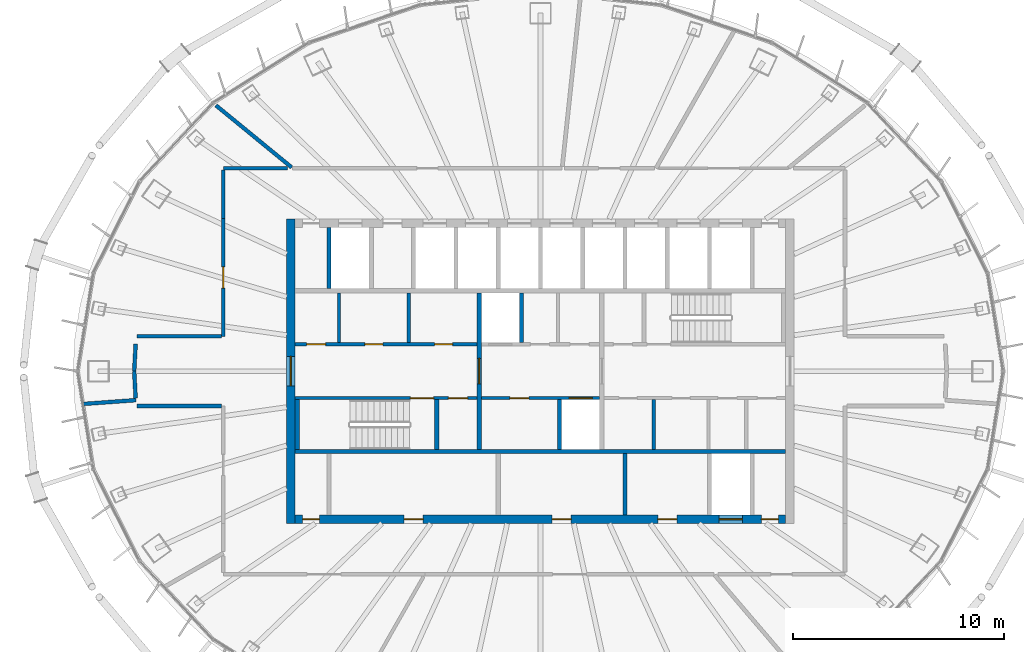
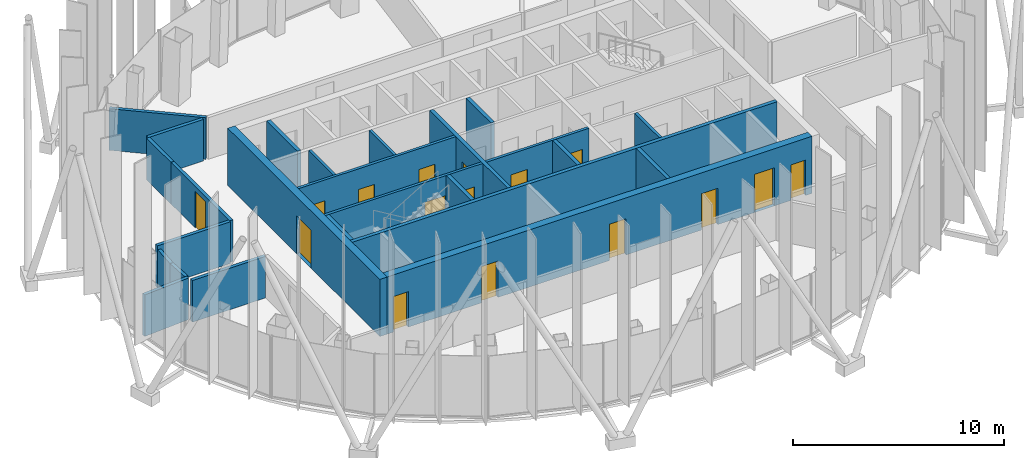
# One storey, part 10 of 19: 25 walls, 16 doors, 16 openings.
"""IFC4 building model written with IfcOpenShell, lengths in metres."""

from ifc_helpers import new_model, si_unit, direction, frame, frame_2d, origin, place, context, subcontext, project, spatial, rectangle, extrude, material, layer, layer_set, type_object, element, fill, save


model = new_model("IFC4")

# Units and contexts
model_context = context("Model", 3, precision=1e-05, world=origin(), true_north=direction((0.0, 1.0)))
body_context = subcontext(model_context, "Body", "Model", "MODEL_VIEW")
ifc_project = project(units=[si_unit("LENGTHUNIT", "METRE"), si_unit("AREAUNIT", "SQUARE_METRE"), si_unit("VOLUMEUNIT", "CUBIC_METRE"), si_unit("PLANEANGLEUNIT", "RADIAN"), si_unit("MASSUNIT", "GRAM", prefix="KILO")], contexts=[model_context])

# Site, building, storey
site_placement = place(None, origin())
site = spatial("IfcSite", under=ifc_project, at=site_placement, CompositionType="ELEMENT")
building_placement = place(site_placement, origin())
building = spatial("IfcBuilding", under=site, at=building_placement, Name="Siaravel Broadcast Tower", CompositionType="ELEMENT")
storey_placement = place(building_placement, frame((0.0, 0.0, 217.10009765625)))
storey = spatial("IfcBuildingStorey", under=building, at=storey_placement, Name="L52", CompositionType="ELEMENT", Elevation=217.10009765625)

# Walls
ifc_material_1 = material(Name="Concrete blockwork", Category="masonry")
ifc_layer_1 = layer(ifc_material_1, 0.14990234375)
ifc_layer_set_1 = layer_set([ifc_layer_1], Name="Concrete blockwork")
wall_type_1 = type_object("IfcWallType", Name="Core partition 150", PredefinedType="PARTITIONING", material=ifc_layer_set_1)
for number, where, z_axis, x_axis, name in (
    (1, (-9.532958984375, 1.35009765625, 0.0), (0.0, 0.0, 1.0), (0.0, 1.0, 0.0), "L52 core partition PNW0"),
    (2, (-6.22900390625, 1.35009765625, 0.0), (0.0, 0.0, 1.0), (0.0, 1.0, 0.0), "L52 core partition PNW1"),
    (3, (5.35693359375, -3.699951171875, 0.0), (0.0, 0.0, 1.0), (0.0, 1.0, 0.0), "L52 core partition PSE0"),
):
    element("IfcWall", number, at=place(storey_placement, frame(where, z_axis=z_axis, x_axis=x_axis)), inside=storey, type_object=wall_type_1, Name=name, PredefinedType="PARTITIONING", context=body_context, shape_type="SweptSolid", body=[
        extrude(rectangle(XDim=2.349853515625, YDim=0.14990234375, at=frame_2d((1.1748046875, 0.0))), origin(), (0.0, 0.0, 1.0), 3.2998046875),
    ])
ifc_layer_2 = layer(ifc_material_1, 0.199951171875)
ifc_layer_set_2 = layer_set([ifc_layer_2], Name="Concrete blockwork")
wall_type_2 = type_object("IfcWallType", Name="Core partition 200", PredefinedType="PARTITIONING", material=ifc_layer_set_2)
wall_1_placement = place(storey_placement, frame((4.0, -6.800048828125, 0.0), z_axis=(0.0, 0.0, 1.0), x_axis=(0.0, 1.0, 0.0)))
element("IfcWall", 4, at=wall_1_placement, inside=storey, type_object=wall_type_2, Name="L52 core partition PFS4", PredefinedType="PARTITIONING", context=body_context, shape_type="SweptSolid", body=[
    extrude(rectangle(XDim=2.900146484375, YDim=0.199951171875, at=frame_2d((1.4501953125, 0.0))), origin(), (0.0, 0.0, 1.0), 3.2998046875),
])

# Wall, opening, door
ifc_material_2 = material(Name="Concrete C60/75", Category="concrete")
ifc_layer_3 = layer(ifc_material_2, 0.39990234375)
ifc_layer_set_3 = layer_set([ifc_layer_3], Name="Concrete C60/75")
wall_type_3 = type_object("IfcWallType", Name="Core wall 400", PredefinedType="SHEAR", material=ifc_layer_set_3)
wall_2_placement = place(storey_placement, frame((-11.800048828125, -7.199951171875, 0.0), z_axis=(0.0, 0.0, 1.0), x_axis=(0.0, 1.0, 0.0)))
wall_2 = element("IfcWall", 5, at=wall_2_placement, inside=storey, type_object=wall_type_3, Name="L52 core wall OW", PredefinedType="SHEAR", context=body_context, shape_type="SweptSolid", body=[
    extrude(rectangle(XDim=14.39990234375, YDim=0.39990234375, at=frame_2d((7.199951171875, 0.0))), origin(), (0.0, 0.0, 1.0), 3.2998046875),
])
opening_1_placement = place(wall_2_placement, frame((6.5, 0.0, 0.0)))
opening_1 = element("IfcOpeningElement", 6, at=opening_1_placement, cuts=wall_2, Name="Opening L52-DX-W", PredefinedType="OPENING", context=body_context, shape_type="SweptSolid", body=[
    extrude(rectangle(XDim=1.39990234375, YDim=2.199951171875, at=frame_2d((0.699951171875, 1.10009765625))), frame((0.0, 0.2099609375, 0.0), z_axis=(0.0, -1.0, 0.0), x_axis=(1.0, 0.0, 0.0)), (0.0, 0.0, 1.0), 0.419921875),
])
ifc_material_3 = material(Name="Steel", Category="steel")
door_type_1 = type_object("IfcDoorType", Name="Core exit door 1400", OperationType="DOUBLE_DOOR_SINGLE_SWING", PredefinedType="DOOR", material=ifc_material_3)
door_1_placement = place(opening_1_placement, origin())
door_1 = element("IfcDoor", 7, at=door_1_placement, inside=storey, type_object=door_type_1, Name="L52 door DX-W", OperationType="DOUBLE_DOOR_SINGLE_SWING", OverallHeight=2.199951171875, OverallWidth=1.39990234375, PredefinedType="DOOR", context=body_context, shape_type="SweptSolid", body=[
    extrude(rectangle(XDim=1.39990234375, YDim=2.199951171875, at=frame_2d((0.699951171875, 1.10009765625))), frame((0.0, 0.02490234375, 0.0), z_axis=(0.0, -1.0, 0.0), x_axis=(1.0, 0.0, 0.0)), (0.0, 0.0, 1.0), 0.050048828125),
])
fill(opening_1, door_1)

# Wall, openings, doors
wall_3_placement = place(storey_placement, frame((-11.60009765625, -7.0, 0.0), z_axis=(0.0, 0.0, 1.0), x_axis=(1.0, 0.0, 0.0)))
wall_3 = element("IfcWall", 8, at=wall_3_placement, inside=storey, type_object=wall_type_3, Name="L52 core wall OS", PredefinedType="SHEAR", context=body_context, shape_type="SweptSolid", body=[
    extrude(rectangle(XDim=23.2001953125, YDim=0.39990234375, at=frame_2d((11.60009765625, 0.0))), origin(), (0.0, 0.0, 1.0), 3.2998046875),
])
opening_2_placement = place(wall_3_placement, frame((20.050048828125, 0.0, 0.0)))
opening_2 = element("IfcOpeningElement", 9, at=opening_2_placement, cuts=wall_3, Name="Opening LD-SV1-L52", PredefinedType="OPENING", context=body_context, shape_type="SweptSolid", body=[
    extrude(rectangle(XDim=1.10009765625, YDim=2.199951171875, at=frame_2d((0.550048828125, 1.10009765625))), frame((0.0, 0.2099609375, 0.0), z_axis=(0.0, -1.0, 0.0), x_axis=(1.0, 0.0, 0.0)), (0.0, 0.0, 1.0), 0.419921875),
])
opening_3_placement = place(wall_3_placement, frame((5.14990234375, 0.0, 0.0)))
opening_3 = element("IfcOpeningElement", 10, at=opening_3_placement, cuts=wall_3, Name="Opening L52-DFS0", PredefinedType="OPENING", context=body_context, shape_type="SweptSolid", body=[
    extrude(rectangle(XDim=0.89990234375, YDim=2.10009765625, at=frame_2d((0.449951171875, 1.050048828125))), frame((0.0, 0.2099609375, 0.0), z_axis=(0.0, -1.0, 0.0), x_axis=(1.0, 0.0, 0.0)), (0.0, 0.0, 1.0), 0.419921875),
])
opening_4_placement = place(wall_3_placement, frame((12.14990234375, 0.0, 0.0)))
opening_4 = element("IfcOpeningElement", 11, at=opening_4_placement, cuts=wall_3, Name="Opening L52-DFS4", PredefinedType="OPENING", context=body_context, shape_type="SweptSolid", body=[
    extrude(rectangle(XDim=0.89990234375, YDim=2.10009765625, at=frame_2d((0.449951171875, 1.050048828125))), frame((0.0, 0.2099609375, 0.0), z_axis=(0.0, -1.0, 0.0), x_axis=(1.0, 0.0, 0.0)), (0.0, 0.0, 1.0), 0.419921875),
])
opening_5_placement = place(wall_3_placement, frame((17.14990234375, 0.0, 0.0)))
opening_5 = element("IfcOpeningElement", 12, at=opening_5_placement, cuts=wall_3, Name="Opening L52-DFS7", PredefinedType="OPENING", context=body_context, shape_type="SweptSolid", body=[
    extrude(rectangle(XDim=0.89990234375, YDim=2.10009765625, at=frame_2d((0.449951171875, 1.050048828125))), frame((0.0, 0.2099609375, 0.0), z_axis=(0.0, -1.0, 0.0), x_axis=(1.0, 0.0, 0.0)), (0.0, 0.0, 1.0), 0.419921875),
])
opening_6_placement = place(wall_3_placement, frame((0.35009765625, 0.0, 0.0)))
opening_6 = element("IfcOpeningElement", 13, at=opening_6_placement, cuts=wall_3, Name="Opening L52-DRSW", PredefinedType="OPENING", context=body_context, shape_type="SweptSolid", body=[
    extrude(rectangle(XDim=0.800048828125, YDim=2.050048828125, at=frame_2d((0.39990234375, 1.02490234375))), frame((0.0, 0.2099609375, 0.0), z_axis=(0.0, -1.0, 0.0), x_axis=(1.0, 0.0, 0.0)), (0.0, 0.0, 1.0), 0.419921875),
])
opening_7_placement = place(wall_3_placement, frame((22.050048828125, 0.0, 0.0)))
opening_7 = element("IfcOpeningElement", 14, at=opening_7_placement, cuts=wall_3, Name="Opening L52-DRSE", PredefinedType="OPENING", context=body_context, shape_type="SweptSolid", body=[
    extrude(rectangle(XDim=0.800048828125, YDim=2.050048828125, at=frame_2d((0.39990234375, 1.02490234375))), frame((0.0, 0.2099609375, 0.0), z_axis=(0.0, -1.0, 0.0), x_axis=(1.0, 0.0, 0.0)), (0.0, 0.0, 1.0), 0.419921875),
])
ifc_material_4 = material(Name="Timber veneer", Category="wood")
door_type_2 = type_object("IfcDoorType", Name="Core room door 900", OperationType="SINGLE_SWING_LEFT", PredefinedType="DOOR", material=ifc_material_4)
door_2_placement = place(opening_3_placement, origin())
door_2 = element("IfcDoor", 15, at=door_2_placement, inside=storey, type_object=door_type_2, Name="L52 door DFS0", OperationType="SINGLE_SWING_LEFT", OverallHeight=2.10009765625, OverallWidth=0.89990234375, PredefinedType="DOOR", context=body_context, shape_type="SweptSolid", body=[
    extrude(rectangle(XDim=0.89990234375, YDim=2.10009765625, at=frame_2d((0.449951171875, 1.050048828125))), frame((0.0, 0.02490234375, 0.0), z_axis=(0.0, -1.0, 0.0), x_axis=(1.0, 0.0, 0.0)), (0.0, 0.0, 1.0), 0.050048828125),
])
fill(opening_3, door_2)
door_3_placement = place(opening_4_placement, origin())
door_3 = element("IfcDoor", 16, at=door_3_placement, inside=storey, type_object=door_type_2, Name="L52 door DFS4", OperationType="SINGLE_SWING_LEFT", OverallHeight=2.10009765625, OverallWidth=0.89990234375, PredefinedType="DOOR", context=body_context, shape_type="SweptSolid", body=[
    extrude(rectangle(XDim=0.89990234375, YDim=2.10009765625, at=frame_2d((0.449951171875, 1.050048828125))), frame((0.0, 0.02490234375, 0.0), z_axis=(0.0, -1.0, 0.0), x_axis=(1.0, 0.0, 0.0)), (0.0, 0.0, 1.0), 0.050048828125),
])
fill(opening_4, door_3)
door_4_placement = place(opening_5_placement, origin())
door_4 = element("IfcDoor", 17, at=door_4_placement, inside=storey, type_object=door_type_2, Name="L52 door DFS7", OperationType="SINGLE_SWING_LEFT", OverallHeight=2.10009765625, OverallWidth=0.89990234375, PredefinedType="DOOR", context=body_context, shape_type="SweptSolid", body=[
    extrude(rectangle(XDim=0.89990234375, YDim=2.10009765625, at=frame_2d((0.449951171875, 1.050048828125))), frame((0.0, 0.02490234375, 0.0), z_axis=(0.0, -1.0, 0.0), x_axis=(1.0, 0.0, 0.0)), (0.0, 0.0, 1.0), 0.050048828125),
])
fill(opening_5, door_4)
door_type_3 = type_object("IfcDoorType", Name="Riser door 800", OperationType="SINGLE_SWING_LEFT", PredefinedType="DOOR", material=ifc_material_3)
door_5_placement = place(opening_6_placement, origin())
door_5 = element("IfcDoor", 18, at=door_5_placement, inside=storey, type_object=door_type_3, Name="L52 door DRSW", OperationType="SINGLE_SWING_LEFT", OverallHeight=2.050048828125, OverallWidth=0.800048828125, PredefinedType="DOOR", context=body_context, shape_type="SweptSolid", body=[
    extrude(rectangle(XDim=0.800048828125, YDim=2.050048828125, at=frame_2d((0.39990234375, 1.02490234375))), frame((0.0, 0.02490234375, 0.0), z_axis=(0.0, -1.0, 0.0), x_axis=(1.0, 0.0, 0.0)), (0.0, 0.0, 1.0), 0.050048828125),
])
fill(opening_6, door_5)
door_6_placement = place(opening_7_placement, origin())
door_6 = element("IfcDoor", 19, at=door_6_placement, inside=storey, type_object=door_type_3, Name="L52 door DRSE", OperationType="SINGLE_SWING_LEFT", OverallHeight=2.050048828125, OverallWidth=0.800048828125, PredefinedType="DOOR", context=body_context, shape_type="SweptSolid", body=[
    extrude(rectangle(XDim=0.800048828125, YDim=2.050048828125, at=frame_2d((0.39990234375, 1.02490234375))), frame((0.0, 0.02490234375, 0.0), z_axis=(0.0, -1.0, 0.0), x_axis=(1.0, 0.0, 0.0)), (0.0, 0.0, 1.0), 0.050048828125),
])
fill(opening_7, door_6)
ifc_material_5 = material(Name="Stainless steel 316L", Category="steel")
door_type_4 = type_object("IfcDoorType", Name="Service lift landing door 1100", OperationType="DOUBLE_DOOR_SLIDING", PredefinedType="DOOR", material=ifc_material_5)
door_7_placement = place(opening_2_placement, origin())
door_7 = element("IfcDoor", 20, at=door_7_placement, inside=storey, type_object=door_type_4, Name="Landing door SV1 L52", OperationType="DOUBLE_DOOR_SLIDING", OverallHeight=2.199951171875, OverallWidth=1.10009765625, PredefinedType="DOOR", context=body_context, shape_type="SweptSolid", body=[
    extrude(rectangle(XDim=1.10009765625, YDim=2.199951171875, at=frame_2d((0.550048828125, 1.10009765625))), frame((0.0, 0.02490234375, 0.0), z_axis=(0.0, -1.0, 0.0), x_axis=(1.0, 0.0, 0.0)), (0.0, 0.0, 1.0), 0.050048828125),
])
fill(opening_2, door_7)

ifc_material_6 = material(Name="Gypsum board partition", Category="gypsum")
ifc_layer_4 = layer(ifc_material_6, 0.14990234375)
ifc_layer_set_4 = layer_set([ifc_layer_4], Name="Gypsum board partition")
wall_type_4 = type_object("IfcWallType", Name="Corridor wall 150", PredefinedType="PARTITIONING", material=ifc_layer_set_4)
wall_4_placement = place(storey_placement, frame((-11.60009765625, 1.27490234375, 0.0), z_axis=(0.0, 0.0, 1.0), x_axis=(1.0, 0.0, 0.0)))
wall_4 = element("IfcWall", 21, at=wall_4_placement, inside=storey, type_object=wall_type_4, Name="L52 core partition CNW", PredefinedType="PARTITIONING", context=body_context, shape_type="SweptSolid", body=[
    extrude(rectangle(XDim=8.60009765625, YDim=0.14990234375, at=frame_2d((4.300048828125, 0.0))), origin(), (0.0, 0.0, 1.0), 3.2998046875),
])
opening_8_placement = place(wall_4_placement, frame((0.5458984375, 0.0, 0.0)))
opening_8 = element("IfcOpeningElement", 22, at=opening_8_placement, cuts=wall_4, Name="Opening L52-DNW0", PredefinedType="OPENING", context=body_context, shape_type="SweptSolid", body=[
    extrude(rectangle(XDim=0.89990234375, YDim=2.10009765625, at=frame_2d((0.449951171875, 1.050048828125))), frame((0.0, 0.0849609375, 0.0), z_axis=(0.0, -1.0, 0.0), x_axis=(1.0, 0.0, 0.0)), (0.0, 0.0, 1.0), 0.169921875),
])
opening_9_placement = place(wall_4_placement, frame((3.2939453125, 0.0, 0.0)))
opening_9 = element("IfcOpeningElement", 23, at=opening_9_placement, cuts=wall_4, Name="Opening L52-DNW1", PredefinedType="OPENING", context=body_context, shape_type="SweptSolid", body=[
    extrude(rectangle(XDim=0.85009765625, YDim=2.10009765625, at=frame_2d((0.425048828125, 1.050048828125))), frame((0.0, 0.0849609375, 0.0), z_axis=(0.0, -1.0, 0.0), x_axis=(1.0, 0.0, 0.0)), (0.0, 0.0, 1.0), 0.169921875),
])
opening_10_placement = place(wall_4_placement, frame((6.597900390625, 0.0, 0.0)))
opening_10 = element("IfcOpeningElement", 24, at=opening_10_placement, cuts=wall_4, Name="Opening L52-DNW2", PredefinedType="OPENING", context=body_context, shape_type="SweptSolid", body=[
    extrude(rectangle(XDim=0.85009765625, YDim=2.10009765625, at=frame_2d((0.425048828125, 1.050048828125))), frame((0.0, 0.0849609375, 0.0), z_axis=(0.0, -1.0, 0.0), x_axis=(1.0, 0.0, 0.0)), (0.0, 0.0, 1.0), 0.169921875),
])
door_8_placement = place(opening_8_placement, origin())
door_8 = element("IfcDoor", 25, at=door_8_placement, inside=storey, type_object=door_type_2, Name="L52 door DNW0", OperationType="SINGLE_SWING_LEFT", OverallHeight=2.10009765625, OverallWidth=0.89990234375, PredefinedType="DOOR", context=body_context, shape_type="SweptSolid", body=[
    extrude(rectangle(XDim=0.89990234375, YDim=2.10009765625, at=frame_2d((0.449951171875, 1.050048828125))), frame((0.0, 0.02490234375, 0.0), z_axis=(0.0, -1.0, 0.0), x_axis=(1.0, 0.0, 0.0)), (0.0, 0.0, 1.0), 0.050048828125),
])
fill(opening_8, door_8)
door_type_5 = type_object("IfcDoorType", Name="Core toilet door 850", OperationType="SINGLE_SWING_LEFT", PredefinedType="DOOR", material=ifc_material_4)
door_9_placement = place(opening_9_placement, origin())
door_9 = element("IfcDoor", 26, at=door_9_placement, inside=storey, type_object=door_type_5, Name="L52 door DNW1", OperationType="SINGLE_SWING_LEFT", OverallHeight=2.10009765625, OverallWidth=0.85009765625, PredefinedType="DOOR", context=body_context, shape_type="SweptSolid", body=[
    extrude(rectangle(XDim=0.85009765625, YDim=2.10009765625, at=frame_2d((0.425048828125, 1.050048828125))), frame((0.0, 0.02490234375, 0.0), z_axis=(0.0, -1.0, 0.0), x_axis=(1.0, 0.0, 0.0)), (0.0, 0.0, 1.0), 0.050048828125),
])
fill(opening_9, door_9)
door_10_placement = place(opening_10_placement, origin())
door_10 = element("IfcDoor", 27, at=door_10_placement, inside=storey, type_object=door_type_5, Name="L52 door DNW2", OperationType="SINGLE_SWING_LEFT", OverallHeight=2.10009765625, OverallWidth=0.85009765625, PredefinedType="DOOR", context=body_context, shape_type="SweptSolid", body=[
    extrude(rectangle(XDim=0.85009765625, YDim=2.10009765625, at=frame_2d((0.425048828125, 1.050048828125))), frame((0.0, 0.02490234375, 0.0), z_axis=(0.0, -1.0, 0.0), x_axis=(1.0, 0.0, 0.0)), (0.0, 0.0, 1.0), 0.050048828125),
])
fill(opening_10, door_10)

# Wall, opening, door
ifc_layer_5 = layer(ifc_material_1, 0.179931640625)
ifc_layer_set_5 = layer_set([ifc_layer_5], Name="Concrete blockwork")
wall_type_5 = type_object("IfcWallType", Name="Service room fire partition 180", PredefinedType="PARTITIONING", material=ifc_layer_set_5)
wall_5_placement = place(storey_placement, frame((-15.0, 7.2119140625, 0.0), z_axis=(0.0, 0.0, 1.0), x_axis=(0.0, -1.0, 0.0)))
wall_5 = element("IfcWall", 28, at=wall_5_placement, inside=storey, type_object=wall_type_5, Name="L52 partition 11", PredefinedType="PARTITIONING", context=body_context, shape_type="SweptSolid", body=[
    extrude(rectangle(XDim=5.56201171875, YDim=0.179931640625, at=frame_2d((2.781005859375, 0.0))), origin(), (0.0, 0.0, 1.0), 2.39990234375),
])
opening_11_placement = place(wall_5_placement, frame((2.281005859375, 0.0, 0.0)))
opening_11 = element("IfcOpeningElement", 29, at=opening_11_placement, cuts=wall_5, Name="Opening L52-007", PredefinedType="OPENING", context=body_context, shape_type="SweptSolid", body=[
    extrude(rectangle(XDim=1.0, YDim=2.10009765625, at=frame_2d((0.5, 1.050048828125))), frame((0.0, 0.099853515625, 0.0), z_axis=(0.0, -1.0, 0.0), x_axis=(1.0, 0.0, 0.0)), (0.0, 0.0, 1.0), 0.199951171875),
])
door_type_6 = type_object("IfcDoorType", Name="Service room door 1000", OperationType="SINGLE_SWING_LEFT", PredefinedType="DOOR", material=ifc_material_3)
door_11_placement = place(opening_11_placement, origin())
door_11 = element("IfcDoor", 30, at=door_11_placement, inside=storey, type_object=door_type_6, Name="L52 door to Library", OperationType="SINGLE_SWING_LEFT", OverallHeight=2.10009765625, OverallWidth=1.0, PredefinedType="DOOR", context=body_context, shape_type="SweptSolid", body=[
    extrude(rectangle(XDim=1.0, YDim=2.10009765625, at=frame_2d((0.5, 1.050048828125))), frame((0.0, 0.02490234375, 0.0), z_axis=(0.0, -1.0, 0.0), x_axis=(1.0, 0.0, 0.0)), (0.0, 0.0, 1.0), 0.050048828125),
])
fill(opening_11, door_11)

# Walls
wall_6_placement = place(storey_placement, frame((-15.3466796875, 12.570556640625, 0.0), z_axis=(0.0, 0.0, 1.0), x_axis=(0.773623506, -0.633645541, 0.0)))
element("IfcWall", 31, at=wall_6_placement, inside=storey, type_object=wall_type_5, Name="L52 partition 14", PredefinedType="PARTITIONING", context=body_context, shape_type="SweptSolid", body=[
    extrude(rectangle(XDim=4.62890625, YDim=0.179931640625, at=frame_2d((2.314453125, 0.0))), origin(), (0.0, 0.0, 1.0), 2.39990234375),
])
for number, where, z_axis, x_axis, name in (
    (32, (-15.092041015625, 1.64990234375, 0.0), (0.0, 0.0, 1.0), (-1.0, 0.0, 0.0), "L52 partition 19"),
    (33, (-19.0849609375, -1.64990234375, 0.0), (0.0, 0.0, 1.0), (1.0, 0.0, 0.0), "L52 partition 20"),
):
    element("IfcWall", number, at=place(storey_placement, frame(where, z_axis=z_axis, x_axis=x_axis)), inside=storey, type_object=wall_type_5, Name=name, PredefinedType="PARTITIONING", context=body_context, shape_type="SweptSolid", body=[
        extrude(rectangle(XDim=3.992919921875, YDim=0.179931640625, at=frame_2d((1.99658203125, 0.0))), origin(), (0.0, 0.0, 1.0), 2.39990234375),
    ])
wall_7_placement = place(storey_placement, frame((-11.973876953125, 9.60009765625, 0.0), z_axis=(0.0, 0.0, 1.0), x_axis=(-1.0, 0.0, 0.0)))
element("IfcWall", 34, at=wall_7_placement, inside=storey, type_object=wall_type_5, Name="L52 partition 21", PredefinedType="PARTITIONING", context=body_context, shape_type="SweptSolid", body=[
    extrude(rectangle(XDim=3.026123046875, YDim=0.179931640625, at=frame_2d((1.51318359375, 0.0))), origin(), (0.0, 0.0, 1.0), 2.39990234375),
])
wall_8_placement = place(storey_placement, frame((-21.633056640625, -1.55029296875, 0.0), z_axis=(0.0, 0.0, 1.0), x_axis=(0.997440396, 0.071502847, 0.0)))
element("IfcWall", 35, at=wall_8_placement, inside=storey, type_object=wall_type_5, Name="L52 partition 24", PredefinedType="PARTITIONING", context=body_context, shape_type="SweptSolid", body=[
    extrude(rectangle(XDim=2.509521484375, YDim=0.179931640625, at=frame_2d((1.2548828125, 0.0))), origin(), (0.0, 0.0, 1.0), 2.39990234375),
])
wall_9_placement = place(storey_placement, frame((-15.0, 9.508056640625, 0.0), z_axis=(0.0, 0.0, 1.0), x_axis=(0.0, -1.0, 0.0)))
element("IfcWall", 36, at=wall_9_placement, inside=storey, type_object=wall_type_5, Name="L52 partition 26", PredefinedType="PARTITIONING", context=body_context, shape_type="SweptSolid", body=[
    extrude(rectangle(XDim=2.295166015625, YDim=0.179931640625, at=frame_2d((1.1474609375, 0.0))), origin(), (0.0, 0.0, 1.0), 2.39990234375),
])
wall_10_placement = place(storey_placement, frame((-19.212646484375, 0.0, 0.0), z_axis=(0.0, 0.0, 1.0), x_axis=(0.053158846, -0.998586069, 0.0)))
element("IfcWall", 37, at=wall_10_placement, inside=storey, type_object=wall_type_5, Name="L52 partition 30", PredefinedType="PARTITIONING", context=body_context, shape_type="SweptSolid", body=[
    extrude(rectangle(XDim=1.28125, YDim=0.179931640625, at=frame_2d((0.640625, 0.0))), origin(), (0.0, 0.0, 1.0), 2.39990234375),
])
wall_11_placement = place(storey_placement, frame((-19.144287109375, 1.280517578125, 0.0), z_axis=(0.0, 0.0, 1.0), x_axis=(-0.053214222, -0.99858312, 0.0)))
element("IfcWall", 38, at=wall_11_placement, inside=storey, type_object=wall_type_5, Name="L52 partition 32", PredefinedType="PARTITIONING", context=body_context, shape_type="SweptSolid", body=[
    extrude(rectangle(XDim=1.270751953125, YDim=0.179931640625, at=frame_2d((0.63525390625, 0.0))), origin(), (0.0, 0.0, 1.0), 2.39990234375),
])

# Wall, openings, doors
ifc_layer_6 = layer(ifc_material_2, 0.14990234375)
ifc_layer_set_6 = layer_set([ifc_layer_6], Name="Concrete C60/75")
wall_type_6 = type_object("IfcWallType", Name="Shaft wall 150", PredefinedType="SHEAR", material=ifc_layer_set_6)
wall_12_placement = place(storey_placement, frame((-11.60009765625, -1.27490234375, 0.0), z_axis=(0.0, 0.0, 1.0), x_axis=(1.0, 0.0, 0.0)))
wall_12 = element("IfcWall", 39, at=wall_12_placement, inside=storey, type_object=wall_type_6, Name="L52 core wall CSW", PredefinedType="SHEAR", context=body_context, shape_type="SweptSolid", body=[
    extrude(rectangle(XDim=8.60009765625, YDim=0.14990234375, at=frame_2d((4.300048828125, 0.0))), origin(), (0.0, 0.0, 1.0), 3.2998046875),
])
opening_12_placement = place(wall_12_placement, frame((5.449951171875, 0.0, 0.0)))
opening_12 = element("IfcOpeningElement", 40, at=opening_12_placement, cuts=wall_12, Name="Opening L52-DS-1", PredefinedType="OPENING", context=body_context, shape_type="SweptSolid", body=[
    extrude(rectangle(XDim=1.10009765625, YDim=2.14990234375, at=frame_2d((0.550048828125, 1.074951171875))), frame((0.0, 0.0849609375, 0.0), z_axis=(0.0, -1.0, 0.0), x_axis=(1.0, 0.0, 0.0)), (0.0, 0.0, 1.0), 0.169921875),
])
opening_13_placement = place(wall_12_placement, frame((7.25, 0.0, 0.0)))
opening_13 = element("IfcOpeningElement", 41, at=opening_13_placement, cuts=wall_12, Name="Opening L52-DSW0", PredefinedType="OPENING", context=body_context, shape_type="SweptSolid", body=[
    extrude(rectangle(XDim=0.89990234375, YDim=2.10009765625, at=frame_2d((0.449951171875, 1.050048828125))), frame((0.0, 0.0849609375, 0.0), z_axis=(0.0, -1.0, 0.0), x_axis=(1.0, 0.0, 0.0)), (0.0, 0.0, 1.0), 0.169921875),
])
door_12_placement = place(opening_13_placement, origin())
door_12 = element("IfcDoor", 42, at=door_12_placement, inside=storey, type_object=door_type_2, Name="L52 door DSW0", OperationType="SINGLE_SWING_LEFT", OverallHeight=2.10009765625, OverallWidth=0.89990234375, PredefinedType="DOOR", context=body_context, shape_type="SweptSolid", body=[
    extrude(rectangle(XDim=0.89990234375, YDim=2.10009765625, at=frame_2d((0.449951171875, 1.050048828125))), frame((0.0, 0.02490234375, 0.0), z_axis=(0.0, -1.0, 0.0), x_axis=(1.0, 0.0, 0.0)), (0.0, 0.0, 1.0), 0.050048828125),
])
fill(opening_13, door_12)
door_type_7 = type_object("IfcDoorType", Name="Stair door 1100", OperationType="SINGLE_SWING_LEFT", PredefinedType="DOOR", material=ifc_material_3)
door_13_placement = place(opening_12_placement, origin())
door_13 = element("IfcDoor", 43, at=door_13_placement, inside=storey, type_object=door_type_7, Name="L52 door DS-1", OperationType="SINGLE_SWING_LEFT", OverallHeight=2.14990234375, OverallWidth=1.10009765625, PredefinedType="DOOR", context=body_context, shape_type="SweptSolid", body=[
    extrude(rectangle(XDim=1.10009765625, YDim=2.14990234375, at=frame_2d((0.550048828125, 1.074951171875))), frame((0.0, 0.02490234375, 0.0), z_axis=(0.0, -1.0, 0.0), x_axis=(1.0, 0.0, 0.0)), (0.0, 0.0, 1.0), 0.050048828125),
])
fill(opening_12, door_13)

wall_13_placement = place(storey_placement, frame((-2.800048828125, -1.27490234375, 0.0), z_axis=(0.0, 0.0, 1.0), x_axis=(1.0, 0.0, 0.0)))
wall_13 = element("IfcWall", 44, at=wall_13_placement, inside=storey, type_object=wall_type_6, Name="L52 core wall CSM", PredefinedType="SHEAR", context=body_context, shape_type="SweptSolid", body=[
    extrude(rectangle(XDim=5.60009765625, YDim=0.14990234375, at=frame_2d((2.800048828125, 0.0))), origin(), (0.0, 0.0, 1.0), 3.2998046875),
])
opening_14_placement = place(wall_13_placement, frame((4.14990234375, 0.0, 0.0)))
opening_14 = element("IfcOpeningElement", 45, at=opening_14_placement, cuts=wall_13, Name="Opening LD-FL2-L52", PredefinedType="OPENING", context=body_context, shape_type="SweptSolid", body=[
    extrude(rectangle(XDim=1.10009765625, YDim=2.199951171875, at=frame_2d((0.550048828125, 1.10009765625))), frame((0.0, 0.0849609375, 0.0), z_axis=(0.0, -1.0, 0.0), x_axis=(1.0, 0.0, 0.0)), (0.0, 0.0, 1.0), 0.169921875),
])
opening_15_placement = place(wall_13_placement, frame((1.35009765625, 0.0, 0.0)))
opening_15 = element("IfcOpeningElement", 46, at=opening_15_placement, cuts=wall_13, Name="Opening L52-DSM0", PredefinedType="OPENING", context=body_context, shape_type="SweptSolid", body=[
    extrude(rectangle(XDim=0.89990234375, YDim=2.10009765625, at=frame_2d((0.449951171875, 1.050048828125))), frame((0.0, 0.0849609375, 0.0), z_axis=(0.0, -1.0, 0.0), x_axis=(1.0, 0.0, 0.0)), (0.0, 0.0, 1.0), 0.169921875),
])
door_14_placement = place(opening_15_placement, origin())
door_14 = element("IfcDoor", 47, at=door_14_placement, inside=storey, type_object=door_type_2, Name="L52 door DSM0", OperationType="SINGLE_SWING_LEFT", OverallHeight=2.10009765625, OverallWidth=0.89990234375, PredefinedType="DOOR", context=body_context, shape_type="SweptSolid", body=[
    extrude(rectangle(XDim=0.89990234375, YDim=2.10009765625, at=frame_2d((0.449951171875, 1.050048828125))), frame((0.0, 0.02490234375, 0.0), z_axis=(0.0, -1.0, 0.0), x_axis=(1.0, 0.0, 0.0)), (0.0, 0.0, 1.0), 0.050048828125),
])
fill(opening_15, door_14)
door_type_8 = type_object("IfcDoorType", Name="Firefighting lift landing door 1100", OperationType="DOUBLE_DOOR_SLIDING", PredefinedType="DOOR", material=ifc_material_5)
door_15_placement = place(opening_14_placement, origin())
door_15 = element("IfcDoor", 48, at=door_15_placement, inside=storey, type_object=door_type_8, Name="Landing door FL2 L52", OperationType="DOUBLE_DOOR_SLIDING", OverallHeight=2.199951171875, OverallWidth=1.10009765625, PredefinedType="DOOR", context=body_context, shape_type="SweptSolid", body=[
    extrude(rectangle(XDim=1.10009765625, YDim=2.199951171875, at=frame_2d((0.550048828125, 1.10009765625))), frame((0.0, 0.02490234375, 0.0), z_axis=(0.0, -1.0, 0.0), x_axis=(1.0, 0.0, 0.0)), (0.0, 0.0, 1.0), 0.050048828125),
])
fill(opening_14, door_15)

# Walls
ifc_layer_7 = layer(ifc_material_2, 0.199951171875)
ifc_layer_set_7 = layer_set([ifc_layer_7], Name="Concrete C60/75")
wall_type_7 = type_object("IfcWallType", Name="Shaft wall 200", PredefinedType="SHEAR", material=ifc_layer_set_7)
wall_14_placement = place(storey_placement, frame((-11.60009765625, -3.800048828125, 0.0), z_axis=(0.0, 0.0, 1.0), x_axis=(1.0, 0.0, 0.0)))
element("IfcWall", 49, at=wall_14_placement, inside=storey, type_object=wall_type_7, Name="L52 core wall BS", PredefinedType="SHEAR", context=body_context, shape_type="SweptSolid", body=[
    extrude(rectangle(XDim=23.2001953125, YDim=0.199951171875, at=frame_2d((11.60009765625, 0.0))), origin(), (0.0, 0.0, 1.0), 3.2998046875),
])
wall_15_placement = place(storey_placement, frame((-10.0, 3.89990234375, 0.0), z_axis=(0.0, 0.0, 1.0), x_axis=(0.0, 1.0, 0.0)))
element("IfcWall", 50, at=wall_15_placement, inside=storey, type_object=wall_type_7, Name="L52 core wall SWN0", PredefinedType="SHEAR", context=body_context, shape_type="SweptSolid", body=[
    extrude(rectangle(XDim=2.900146484375, YDim=0.199951171875, at=frame_2d((1.4501953125, 0.0))), origin(), (0.0, 0.0, 1.0), 3.2998046875),
])

# Wall, opening, door
wall_16_placement = place(storey_placement, frame((-2.89990234375, -3.699951171875, 0.0), z_axis=(0.0, 0.0, 1.0), x_axis=(0.0, 1.0, 0.0)))
wall_16 = element("IfcWall", 51, at=wall_16_placement, inside=storey, type_object=wall_type_7, Name="L52 core wall LW", PredefinedType="SHEAR", context=body_context, shape_type="SweptSolid", body=[
    extrude(rectangle(XDim=7.39990234375, YDim=0.199951171875, at=frame_2d((3.699951171875, 0.0))), origin(), (0.0, 0.0, 1.0), 3.2998046875),
])
opening_16_placement = place(wall_16_placement, frame((3.10009765625, 0.0, 0.0)))
opening_16 = element("IfcOpeningElement", 52, at=opening_16_placement, cuts=wall_16, Name="Opening L52-DL-W", PredefinedType="OPENING", context=body_context, shape_type="SweptSolid", body=[
    extrude(rectangle(XDim=1.199951171875, YDim=2.199951171875, at=frame_2d((0.60009765625, 1.10009765625))), frame((0.0, 0.10986328125, 0.0), z_axis=(0.0, -1.0, 0.0), x_axis=(1.0, 0.0, 0.0)), (0.0, 0.0, 1.0), 0.219970703125),
])
door_type_9 = type_object("IfcDoorType", Name="Firefighting lobby door 1200", OperationType="SINGLE_SWING_LEFT", PredefinedType="DOOR", material=ifc_material_3)
door_16_placement = place(opening_16_placement, origin())
door_16 = element("IfcDoor", 53, at=door_16_placement, inside=storey, type_object=door_type_9, Name="L52 door DL-W", OperationType="SINGLE_SWING_LEFT", OverallHeight=2.199951171875, OverallWidth=1.199951171875, PredefinedType="DOOR", context=body_context, shape_type="SweptSolid", body=[
    extrude(rectangle(XDim=1.199951171875, YDim=2.199951171875, at=frame_2d((0.60009765625, 1.10009765625))), frame((0.0, 0.02490234375, 0.0), z_axis=(0.0, -1.0, 0.0), x_axis=(1.0, 0.0, 0.0)), (0.0, 0.0, 1.0), 0.050048828125),
])
fill(opening_16, door_16)

# Walls
for number, where, z_axis, x_axis, name in (
    (54, (-0.89990234375, 1.35009765625, 0.0), (0.0, 0.0, 1.0), (0.0, 1.0, 0.0), "L52 core wall FF1E"),
    (55, (0.89990234375, -3.699951171875, 0.0), (0.0, 0.0, 1.0), (0.0, 1.0, 0.0), "L52 core wall FF2W"),
    (56, (-11.5, -3.699951171875, 0.0), (0.0, 0.0, 1.0), (0.0, 1.0, 0.0), "L52 core wall ST1W"),
    (57, (-4.89990234375, -3.699951171875, 0.0), (0.0, 0.0, 1.0), (0.0, 1.0, 0.0), "L52 core wall ST1E"),
):
    element("IfcWall", number, at=place(storey_placement, frame(where, z_axis=z_axis, x_axis=x_axis)), inside=storey, type_object=wall_type_7, Name=name, PredefinedType="SHEAR", context=body_context, shape_type="SweptSolid", body=[
        extrude(rectangle(XDim=2.349853515625, YDim=0.199951171875, at=frame_2d((1.1748046875, 0.0))), origin(), (0.0, 0.0, 1.0), 3.2998046875),
    ])

save(model, "model.ifc")
